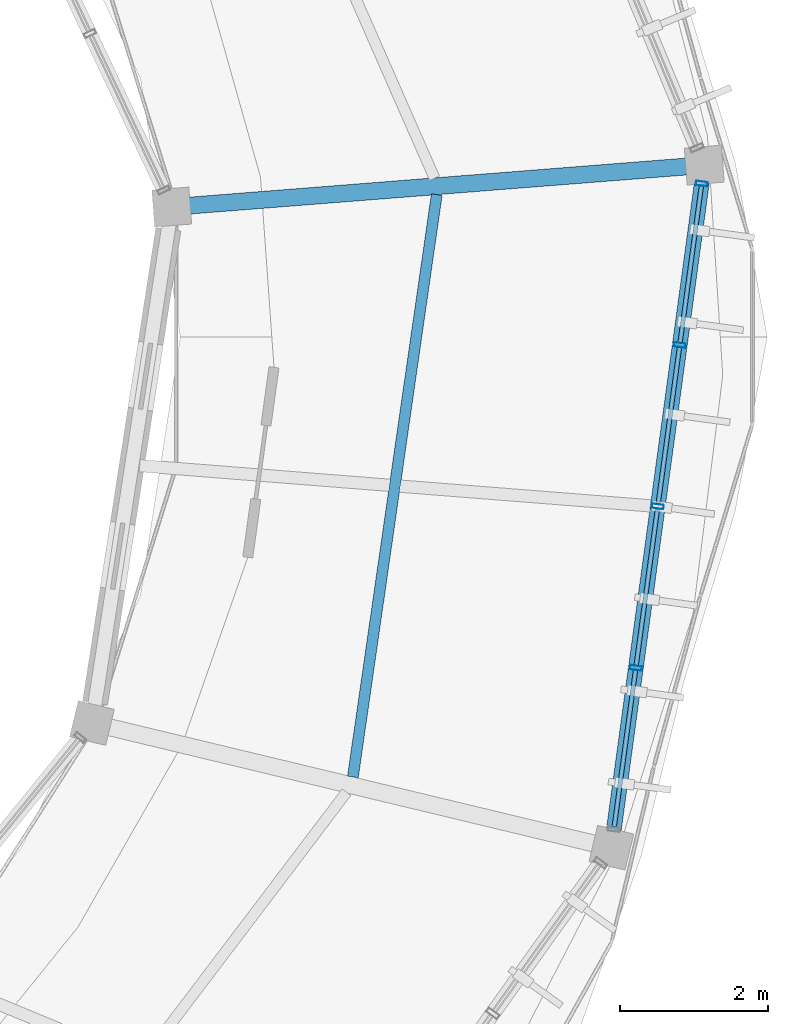
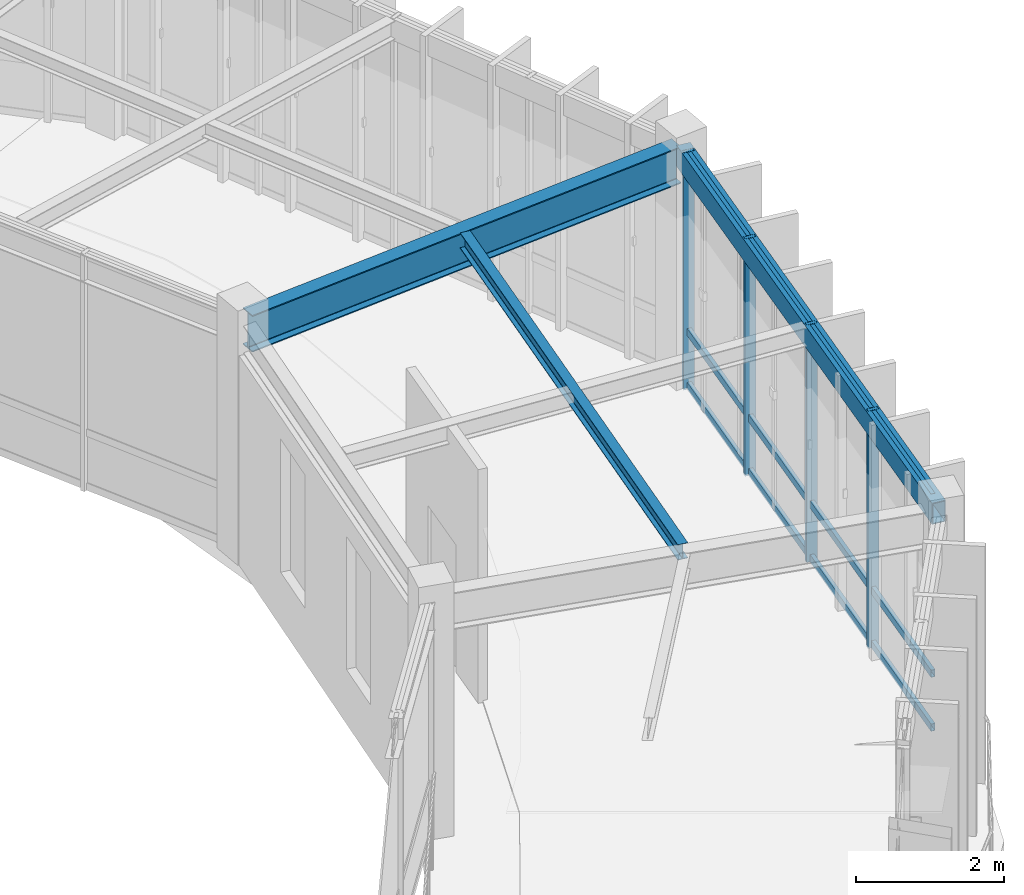
# One storey, part 52 of 78: 16 members, 3 beams, 1 element without a shape of its own.
"""IFC4 building model written with IfcOpenShell, lengths in metres."""

from ifc_helpers import new_model, si_unit, direction, frame, origin, origin_2d, place, context, subcontext, project, spatial, hollow_rectangle, i_section, extrude, material, material_profile, profile_set, type_object, element, aggregate, save


model = new_model("IFC4")

# Units and contexts
model_context = context("Model", 3, precision=1e-05, world=origin(), true_north=direction((0.0, 1.0)))
body_context = subcontext(model_context, "Body", "Model", "MODEL_VIEW")
ifc_project = project(units=[si_unit("LENGTHUNIT", "METRE"), si_unit("AREAUNIT", "SQUARE_METRE"), si_unit("VOLUMEUNIT", "CUBIC_METRE"), si_unit("PLANEANGLEUNIT", "RADIAN"), si_unit("MASSUNIT", "GRAM", prefix="KILO"), si_unit("THERMODYNAMICTEMPERATUREUNIT", "KELVIN"), si_unit("POWERUNIT", "WATT")], contexts=[model_context])

# Site, building, storey
site_placement = place(None, origin())
site = spatial("IfcSite", under=ifc_project, at=site_placement, CompositionType="ELEMENT")
building_placement = place(site_placement, origin())
building = spatial("IfcBuilding", under=site, at=building_placement, Name="Darbajah Civic Hall", CompositionType="ELEMENT")
storey_placement = place(building_placement, frame((0.0, 0.0, 26.39990234375)))
storey = spatial("IfcBuildingStorey", under=building, at=storey_placement, Name="L06", CompositionType="ELEMENT", Elevation=26.39990234375)

# Curtain wall, members
ifc_material_1 = material(Name="Anodised Bronze Aluminium and Low-E Glazing", Category="aluminium")
curtain_wall_type = type_object("IfcCurtainWallType", Name="Unitised Curtain Wall CW-93 8800x3900", PredefinedType="USERDEFINED", material=ifc_material_1)
curtain_wall_placement = place(storey_placement, origin())
curtain_wall = element("IfcCurtainWall", 1, at=curtain_wall_placement, inside=storey, type_object=curtain_wall_type, Name="L06 unitised curtain wall CW-V1O-L06-19", ObjectType="UNITISED CURTAIN WALL", PredefinedType="USERDEFINED")
ifc_material_2 = material(Name="Anodised Bronze Aluminium", Category="aluminium")
ifc_material_profile_1 = material_profile(ifc_material_2, hollow_rectangle(XDim=0.06005859375, YDim=0.159912109375, WallThickness=0.00341796875, at=origin_2d()), Name="ALU MULLION 60x160")
ifc_profile_set_1 = profile_set([ifc_material_profile_1], Name="Anodised Bronze Aluminium")
member_type_1 = type_object("IfcMemberType", Name="ALU MULLION 60x160", PredefinedType="MULLION", material=ifc_profile_set_1)
member_1_placement = place(storey_placement, frame((139.02099609375, 85.33837890625, 0.0), z_axis=(0.0, 0.0, 1.0), x_axis=(0.134850930274, 0.990865897387, 0.0)))
member_1 = element("IfcMember", 2, at=member_1_placement, type_object=member_type_1, Name="CW-V1O-L06-19 mullion 2", PredefinedType="MULLION", context=body_context, shape_type="SweptSolid", body=[
    extrude(hollow_rectangle(XDim=0.06005859375, YDim=0.159912109375, WallThickness=0.00341796875, at=origin_2d()), origin(), (0.0, 0.0, 1.0), 3.920166015625),
])
member_2_placement = place(storey_placement, frame((139.31689453125, 87.513916015625, 0.0), z_axis=(0.0, 0.0, 1.0), x_axis=(0.134850930274, 0.990865897387, 0.0)))
member_2 = element("IfcMember", 3, at=member_2_placement, type_object=member_type_1, Name="CW-V1O-L06-19 mullion 3", PredefinedType="MULLION", context=body_context, shape_type="SweptSolid", body=[
    extrude(hollow_rectangle(XDim=0.06005859375, YDim=0.159912109375, WallThickness=0.00341796875, at=origin_2d()), origin(), (0.0, 0.0, 1.0), 3.920166015625),
])
member_3_placement = place(storey_placement, frame((139.61279296875, 89.689453125, 0.0), z_axis=(0.0, 0.0, 1.0), x_axis=(0.134850930274, 0.990865897387, 0.0)))
member_3 = element("IfcMember", 4, at=member_3_placement, type_object=member_type_1, Name="CW-V1O-L06-19 mullion 4", PredefinedType="MULLION", context=body_context, shape_type="SweptSolid", body=[
    extrude(hollow_rectangle(XDim=0.06005859375, YDim=0.159912109375, WallThickness=0.00341796875, at=origin_2d()), origin(), (0.0, 0.0, 1.0), 3.920166015625),
])
member_4_placement = place(storey_placement, frame((139.90869140625, 91.86474609375, 0.0), z_axis=(0.0, 0.0, 1.0), x_axis=(0.134850930274, 0.990865897387, 0.0)))
member_4 = element("IfcMember", 5, at=member_4_placement, type_object=member_type_1, Name="CW-V1O-L06-19 mullion 5", PredefinedType="MULLION", context=body_context, shape_type="SweptSolid", body=[
    extrude(hollow_rectangle(XDim=0.06005859375, YDim=0.159912109375, WallThickness=0.00341796875, at=origin_2d()), origin(), (0.0, 0.0, 1.0), 3.920166015625),
])
ifc_material_profile_2 = material_profile(ifc_material_2, hollow_rectangle(XDim=0.06005859375, YDim=0.1201171875, WallThickness=0.003173828125, at=origin_2d()), Name="ALU TRANSOM 60x120")
ifc_profile_set_2 = profile_set([ifc_material_profile_2], Name="Anodised Bronze Aluminium")
member_type_2 = type_object("IfcMemberType", Name="ALU TRANSOM 60x120", PredefinedType="USERDEFINED", material=ifc_profile_set_2)
member_5_placement = place(storey_placement, frame((138.7294921875, 83.19775390625, 0.06005859375), z_axis=(0.134856898896, 0.990865085075, 0.0), x_axis=(-0.990865085075, 0.134856898896, 0.0)))
member_5 = element("IfcMember", 6, at=member_5_placement, type_object=member_type_2, Name="CW-V1O-L06-19 transom 1.1", ObjectType="TRANSOM", PredefinedType="USERDEFINED", context=body_context, shape_type="SweptSolid", body=[
    extrude(hollow_rectangle(XDim=0.06005859375, YDim=0.1201171875, WallThickness=0.003173828125, at=origin_2d()), origin(), (0.0, 0.0, 1.0), 2.12548828125),
])
member_6_placement = place(storey_placement, frame((138.7294921875, 83.19775390625, 0.9501953125), z_axis=(0.134856898896, 0.990865085075, 0.0), x_axis=(-0.990865085075, 0.134856898896, 0.0)))
member_6 = element("IfcMember", 7, at=member_6_placement, type_object=member_type_2, Name="CW-V1O-L06-19 transom 1.2", ObjectType="TRANSOM", PredefinedType="USERDEFINED", context=body_context, shape_type="SweptSolid", body=[
    extrude(hollow_rectangle(XDim=0.06005859375, YDim=0.1201171875, WallThickness=0.003173828125, at=origin_2d()), origin(), (0.0, 0.0, 1.0), 2.12548828125),
])
member_7_placement = place(storey_placement, frame((138.7294921875, 83.19775390625, 3.860107421875), z_axis=(0.134856898896, 0.990865085075, 0.0), x_axis=(-0.990865085075, 0.134856898896, 0.0)))
member_7 = element("IfcMember", 8, at=member_7_placement, type_object=member_type_2, Name="CW-V1O-L06-19 transom 1.3", ObjectType="TRANSOM", PredefinedType="USERDEFINED", context=body_context, shape_type="SweptSolid", body=[
    extrude(hollow_rectangle(XDim=0.06005859375, YDim=0.1201171875, WallThickness=0.003173828125, at=origin_2d()), origin(), (0.0, 0.0, 1.0), 2.12548828125),
])
member_8_placement = place(storey_placement, frame((139.025634765625, 85.373291015625, 0.06005859375), z_axis=(0.134744115748, 0.990880428342, 0.0), x_axis=(-0.990880428342, 0.134744115748, 0.0)))
member_8 = element("IfcMember", 9, at=member_8_placement, type_object=member_type_2, Name="CW-V1O-L06-19 transom 2.1", ObjectType="TRANSOM", PredefinedType="USERDEFINED", context=body_context, shape_type="SweptSolid", body=[
    extrude(hollow_rectangle(XDim=0.06005859375, YDim=0.1201171875, WallThickness=0.003173828125, at=origin_2d()), origin(), (0.0, 0.0, 1.0), 2.125244140625),
])
member_9_placement = place(storey_placement, frame((139.025634765625, 85.373291015625, 0.9501953125), z_axis=(0.134744115748, 0.990880428342, 0.0), x_axis=(-0.990880428342, 0.134744115748, 0.0)))
member_9 = element("IfcMember", 10, at=member_9_placement, type_object=member_type_2, Name="CW-V1O-L06-19 transom 2.2", ObjectType="TRANSOM", PredefinedType="USERDEFINED", context=body_context, shape_type="SweptSolid", body=[
    extrude(hollow_rectangle(XDim=0.06005859375, YDim=0.1201171875, WallThickness=0.003173828125, at=origin_2d()), origin(), (0.0, 0.0, 1.0), 2.125244140625),
])
member_10_placement = place(storey_placement, frame((139.025634765625, 85.373291015625, 3.860107421875), z_axis=(0.134744115748, 0.990880428342, 0.0), x_axis=(-0.990880428342, 0.134744115748, 0.0)))
member_10 = element("IfcMember", 11, at=member_10_placement, type_object=member_type_2, Name="CW-V1O-L06-19 transom 2.3", ObjectType="TRANSOM", PredefinedType="USERDEFINED", context=body_context, shape_type="SweptSolid", body=[
    extrude(hollow_rectangle(XDim=0.06005859375, YDim=0.1201171875, WallThickness=0.003173828125, at=origin_2d()), origin(), (0.0, 0.0, 1.0), 2.125244140625),
])
member_11_placement = place(storey_placement, frame((139.321533203125, 87.548583984375, 0.06005859375), z_axis=(0.134841551179, 0.99086717378, 0.0), x_axis=(-0.99086717378, 0.134841551179, 0.0)))
member_11 = element("IfcMember", 12, at=member_11_placement, type_object=member_type_2, Name="CW-V1O-L06-19 transom 3.1", ObjectType="TRANSOM", PredefinedType="USERDEFINED", context=body_context, shape_type="SweptSolid", body=[
    extrude(hollow_rectangle(XDim=0.06005859375, YDim=0.1201171875, WallThickness=0.003173828125, at=origin_2d()), origin(), (0.0, 0.0, 1.0), 2.125732421875),
])
member_12_placement = place(storey_placement, frame((139.321533203125, 87.548583984375, 0.9501953125), z_axis=(0.134841551179, 0.99086717378, 0.0), x_axis=(-0.99086717378, 0.134841551179, 0.0)))
member_12 = element("IfcMember", 13, at=member_12_placement, type_object=member_type_2, Name="CW-V1O-L06-19 transom 3.2", ObjectType="TRANSOM", PredefinedType="USERDEFINED", context=body_context, shape_type="SweptSolid", body=[
    extrude(hollow_rectangle(XDim=0.06005859375, YDim=0.1201171875, WallThickness=0.003173828125, at=origin_2d()), origin(), (0.0, 0.0, 1.0), 2.125732421875),
])
member_13_placement = place(storey_placement, frame((139.321533203125, 87.548583984375, 3.860107421875), z_axis=(0.134841551179, 0.99086717378, 0.0), x_axis=(-0.99086717378, 0.134841551179, 0.0)))
member_13 = element("IfcMember", 14, at=member_13_placement, type_object=member_type_2, Name="CW-V1O-L06-19 transom 3.3", ObjectType="TRANSOM", PredefinedType="USERDEFINED", context=body_context, shape_type="SweptSolid", body=[
    extrude(hollow_rectangle(XDim=0.06005859375, YDim=0.1201171875, WallThickness=0.003173828125, at=origin_2d()), origin(), (0.0, 0.0, 1.0), 2.125732421875),
])
member_14_placement = place(storey_placement, frame((139.617431640625, 89.72412109375, 0.06005859375), z_axis=(0.134856898896, 0.990865085075, 0.0), x_axis=(-0.990865085075, 0.134856898896, 0.0)))
member_14 = element("IfcMember", 15, at=member_14_placement, type_object=member_type_2, Name="CW-V1O-L06-19 transom 4.1", ObjectType="TRANSOM", PredefinedType="USERDEFINED", context=body_context, shape_type="SweptSolid", body=[
    extrude(hollow_rectangle(XDim=0.06005859375, YDim=0.1201171875, WallThickness=0.003173828125, at=origin_2d()), origin(), (0.0, 0.0, 1.0), 2.12548828125),
])
member_15_placement = place(storey_placement, frame((139.617431640625, 89.72412109375, 0.9501953125), z_axis=(0.134856898896, 0.990865085075, 0.0), x_axis=(-0.990865085075, 0.134856898896, 0.0)))
member_15 = element("IfcMember", 16, at=member_15_placement, type_object=member_type_2, Name="CW-V1O-L06-19 transom 4.2", ObjectType="TRANSOM", PredefinedType="USERDEFINED", context=body_context, shape_type="SweptSolid", body=[
    extrude(hollow_rectangle(XDim=0.06005859375, YDim=0.1201171875, WallThickness=0.003173828125, at=origin_2d()), origin(), (0.0, 0.0, 1.0), 2.12548828125),
])
member_16_placement = place(storey_placement, frame((139.617431640625, 89.72412109375, 3.860107421875), z_axis=(0.134856898896, 0.990865085075, 0.0), x_axis=(-0.990865085075, 0.134856898896, 0.0)))
member_16 = element("IfcMember", 17, at=member_16_placement, type_object=member_type_2, Name="CW-V1O-L06-19 transom 4.3", ObjectType="TRANSOM", PredefinedType="USERDEFINED", context=body_context, shape_type="SweptSolid", body=[
    extrude(hollow_rectangle(XDim=0.06005859375, YDim=0.1201171875, WallThickness=0.003173828125, at=origin_2d()), origin(), (0.0, 0.0, 1.0), 2.12548828125),
])
aggregate(curtain_wall, [member_1, member_2, member_3, member_4, member_5, member_6, member_7, member_8, member_9, member_10, member_11, member_12, member_13, member_14, member_15, member_16])

# Beams
ifc_material_3 = material(Name="Steel S355JR", Category="steel")
ifc_material_profile_3 = material_profile(ifc_material_3, hollow_rectangle(XDim=0.199951171875, YDim=0.35009765625, WallThickness=0.012451171875, at=origin_2d()), Name="RHS 350x200x12.5")
ifc_profile_set_3 = profile_set([ifc_material_profile_3], Name="Steel S355JR")
beam_type_1 = type_object("IfcBeamType", Name="RHS 350x200x12.5", PredefinedType="SPANDREL", material=ifc_profile_set_3)
beam_1_placement = place(storey_placement, frame((138.70166015625, 82.99267578125, 3.7451171875), z_axis=(0.134807575565, 0.990871796738, 0.0), x_axis=(-0.990871796738, 0.134807575565, 0.0)))
element("IfcBeam", 18, at=beam_1_placement, inside=storey, type_object=beam_type_1, Name="L06 beam SP-RHS350", PredefinedType="SPANDREL", context=body_context, shape_type="SweptSolid", body=[
    extrude(hollow_rectangle(XDim=0.199951171875, YDim=0.35009765625, WallThickness=0.012451171875, at=origin_2d()), origin(), (0.0, 0.0, 1.0), 9.125732421875),
])
ifc_material_profile_4 = material_profile(ifc_material_3, i_section(OverallWidth=0.146484375, OverallDepth=0.256103515625, WebThickness=0.00634765625, FlangeThickness=0.010986328125, FilletRadius=0.007568359375, at=origin_2d()), Name="UB 254x146x37")
ifc_profile_set_4 = profile_set([ifc_material_profile_4], Name="Steel S355JR")
beam_type_2 = type_object("IfcBeamType", Name="UB 254x146x37", PredefinedType="JOIST", material=ifc_profile_set_4)
beam_2_placement = place(storey_placement, frame((135.206787109375, 83.86865234375, 3.7919921875), z_axis=(0.142580747671, 0.989783173424, 0.0), x_axis=(-0.989783173424, 0.142580747671, 0.0)))
element("IfcBeam", 19, at=beam_2_placement, inside=storey, type_object=beam_type_2, Name="L06 beam SJ-254", PredefinedType="JOIST", context=body_context, shape_type="SweptSolid", body=[
    extrude(i_section(OverallWidth=0.146484375, OverallDepth=0.256103515625, WebThickness=0.00634765625, FlangeThickness=0.010986328125, FilletRadius=0.007568359375, at=origin_2d()), origin(), (0.0, 0.0, 1.0), 7.9296875),
])
ifc_material_profile_5 = material_profile(ifc_material_3, i_section(OverallWidth=0.228271484375, OverallDepth=0.607666015625, WebThickness=0.010986328125, FlangeThickness=0.017333984375, FilletRadius=0.0126953125, at=origin_2d()), Name="UB 610x229x113")
ifc_profile_set_5 = profile_set([ifc_material_profile_5], Name="Steel S355JR")
beam_type_3 = type_object("IfcBeamType", Name="UB 610x229x113", PredefinedType="BEAM", material=ifc_profile_set_5)
beam_3_placement = place(storey_placement, frame((132.8447265625, 91.555908203125, 3.6162109375), z_axis=(0.996918521601, 0.078444000969, 0.0), x_axis=(-0.078444000969, 0.996918521601, 0.0)))
element("IfcBeam", 20, at=beam_3_placement, inside=storey, type_object=beam_type_3, Name="L06 beam SB-610", PredefinedType="BEAM", context=body_context, shape_type="SweptSolid", body=[
    extrude(i_section(OverallWidth=0.228271484375, OverallDepth=0.607666015625, WebThickness=0.010986328125, FlangeThickness=0.017333984375, FilletRadius=0.0126953125, at=origin_2d()), origin(), (0.0, 0.0, 1.0), 7.0400390625),
])

save(model, "model.ifc")
